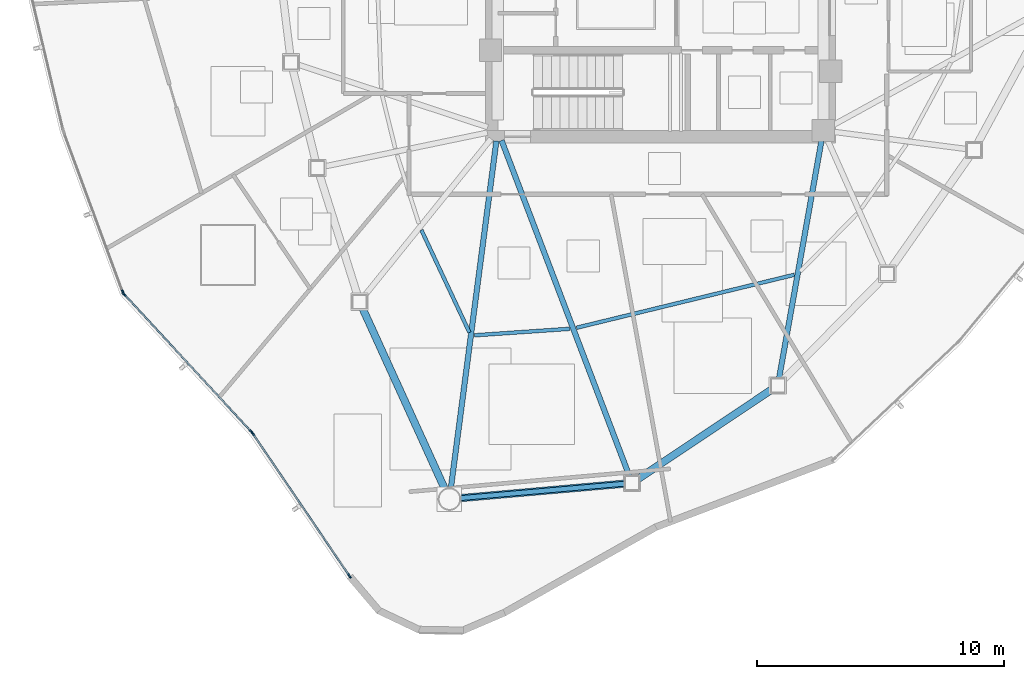
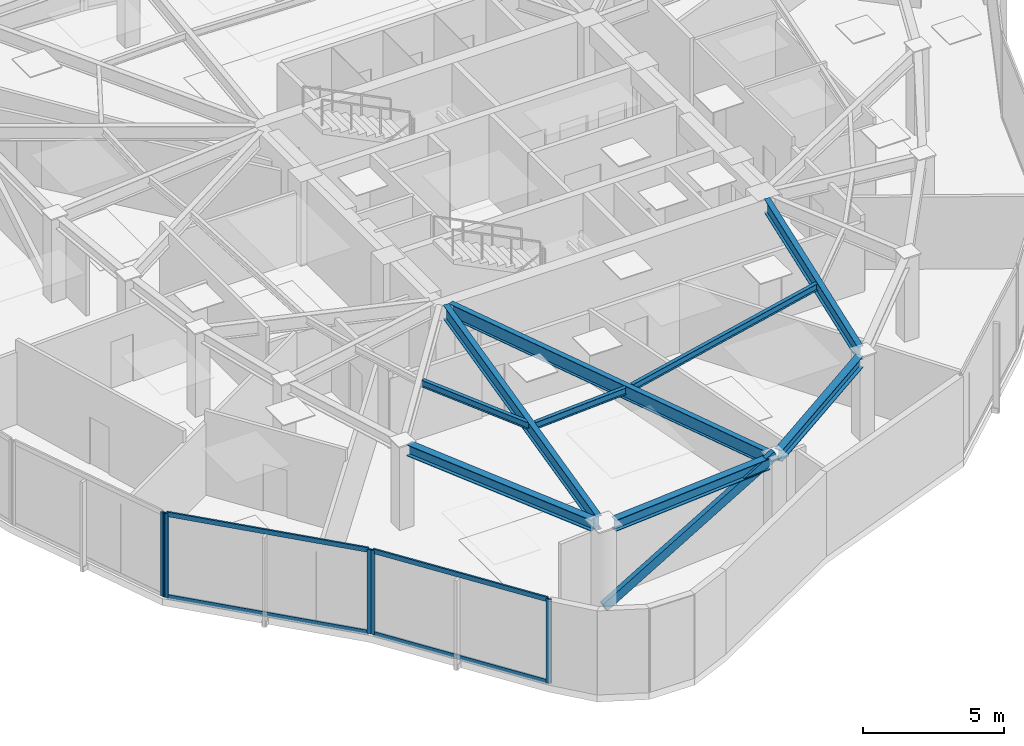
# One storey, part 2 of 13: 10 members, 9 beams, 3 elements without a shape of their own.
"""IFC4 building model written with IfcOpenShell, lengths in metres."""

from ifc_helpers import new_model, si_unit, direction, frame, origin, origin_2d, place, context, subcontext, project, spatial, hollow_rectangle, i_section, extrude, source, transform, mapped, material, layer, layer_set, material_profile, profile_set, type_object, type_shapes, element, aggregate, save


model = new_model("IFC4")

# Units and contexts
model_context = context("Model", 3, precision=1e-05, world=origin(), true_north=direction((0.0, 1.0)))
body_context = subcontext(model_context, "Body", "Model", "MODEL_VIEW")
ifc_project = project(units=[si_unit("LENGTHUNIT", "METRE"), si_unit("AREAUNIT", "SQUARE_METRE"), si_unit("VOLUMEUNIT", "CUBIC_METRE"), si_unit("PLANEANGLEUNIT", "RADIAN"), si_unit("MASSUNIT", "GRAM", prefix="KILO")], contexts=[model_context])

# Site, building, storey
site_placement = place(None, origin())
site = spatial("IfcSite", under=ifc_project, at=site_placement, CompositionType="ELEMENT")
building_placement = place(site_placement, origin())
building = spatial("IfcBuilding", under=site, at=building_placement, Name="Tavelor Broadcast Tower", CompositionType="ELEMENT")
storey_placement = place(building_placement, frame((0.0, 0.0, 237.949951171875)))
storey = spatial("IfcBuildingStorey", under=building, at=storey_placement, Name="L56", CompositionType="ELEMENT", Elevation=237.949951171875)

# Beams
ifc_material_1 = material(Name="Steel S355", Category="steel")
ifc_material_profile_1 = material_profile(ifc_material_1, i_section(OverallWidth=0.14990234375, OverallDepth=0.300048828125, WebThickness=0.007080078125, FlangeThickness=0.0107421875, at=origin_2d()), Name="IPE 300")
ifc_profile_set_1 = profile_set([ifc_material_profile_1], Name="Steel S355")
beam_type_1 = type_object("IfcBeamType", Name="Composite Floor Joist T5 IPE 300", PredefinedType="JOIST", material=ifc_profile_set_1)
beam_1_placement = place(storey_placement, frame((40.303466796875, 34.76123046875, 3.5), z_axis=(0.424747696097, -0.905311766553, 0.0), x_axis=(0.905311766553, 0.424747696097, 0.0)))
element("IfcBeam", 1, at=beam_1_placement, inside=storey, type_object=beam_type_1, Name="L56 Secondary Composite Floor Joist 06", PredefinedType="JOIST", context=body_context, shape_type="SweptSolid", body=[
    extrude(i_section(OverallWidth=0.14990234375, OverallDepth=0.300048828125, WebThickness=0.007080078125, FlangeThickness=0.0107421875, at=origin_2d()), origin(), (0.0, 0.0, 1.0), 4.583984375),
])
beam_2_placement = place(storey_placement, frame((42.44873046875, 30.49462890625, 3.5), z_axis=(0.997688348821, 0.067955563618, 0.0), x_axis=(-0.067955563618, 0.997688348821, 0.0)))
element("IfcBeam", 2, at=beam_2_placement, inside=storey, type_object=beam_type_1, Name="L56 Secondary Composite Floor Joist 07", PredefinedType="JOIST", context=body_context, shape_type="SweptSolid", body=[
    extrude(i_section(OverallWidth=0.14990234375, OverallDepth=0.300048828125, WebThickness=0.007080078125, FlangeThickness=0.0107421875, at=origin_2d()), origin(), (0.0, 0.0, 1.0), 3.880126953125),
])
beam_3_placement = place(storey_placement, frame((46.59423828125, 30.80078125, 3.5), z_axis=(0.971661934331, 0.236374883124, 0.0), x_axis=(-0.236374883124, 0.971661934331, 0.0)))
element("IfcBeam", 3, at=beam_3_placement, inside=storey, type_object=beam_type_1, Name="L56 Secondary Composite Floor Joist 08", PredefinedType="JOIST", context=body_context, shape_type="SweptSolid", body=[
    extrude(i_section(OverallWidth=0.14990234375, OverallDepth=0.300048828125, WebThickness=0.007080078125, FlangeThickness=0.0107421875, at=origin_2d()), origin(), (0.0, 0.0, 1.0), 9.089111328125),
])
ifc_material_profile_2 = material_profile(ifc_material_1, i_section(OverallWidth=0.300048828125, OverallDepth=0.489990234375, WebThickness=0.011962890625, FlangeThickness=0.02294921875, at=origin_2d()), Name="HEA 500")
ifc_profile_set_2 = profile_set([ifc_material_profile_2], Name="Steel S355")
beam_type_2 = type_object("IfcBeamType", Name="Perimeter Spandrel Beam T5 HEA 500", PredefinedType="SPANDREL", material=ifc_profile_set_2)
beam_4_placement = place(storey_placement, frame((37.91650390625, 31.59130859375, 3.405029296875), z_axis=(0.414437010202, -0.910077999171, 0.0), x_axis=(0.910077999171, 0.414437010202, 0.0)))
element("IfcBeam", 4, at=beam_4_placement, inside=storey, type_object=beam_type_2, Name="L56 Framed-Tube Ring Spandrel 06", PredefinedType="SPANDREL", context=body_context, shape_type="SweptSolid", body=[
    extrude(i_section(OverallWidth=0.300048828125, OverallDepth=0.489990234375, WebThickness=0.011962890625, FlangeThickness=0.02294921875, at=origin_2d()), origin(), (0.0, 0.0, 1.0), 8.0634765625),
])
beam_5_placement = place(storey_placement, frame((41.877197265625, 23.89208984375, 3.405029296875), z_axis=(0.996152506101, 0.087636662361, 0.0), x_axis=(-0.087636662361, 0.996152506101, 0.0)))
element("IfcBeam", 5, at=beam_5_placement, inside=storey, type_object=beam_type_2, Name="L56 Framed-Tube Ring Spandrel 07", PredefinedType="SPANDREL", context=body_context, shape_type="SweptSolid", body=[
    extrude(i_section(OverallWidth=0.300048828125, OverallDepth=0.489990234375, WebThickness=0.011962890625, FlangeThickness=0.02294921875, at=origin_2d()), origin(), (0.0, 0.0, 1.0), 6.70556640625),
])
beam_6_placement = place(storey_placement, frame((49.083251953125, 24.665283203125, 3.405029296875), z_axis=(0.830979943124, 0.556302376523, 0.0), x_axis=(-0.556302376523, 0.830979943124, 0.0)))
element("IfcBeam", 6, at=beam_6_placement, inside=storey, type_object=beam_type_2, Name="L56 Framed-Tube Ring Spandrel 08", PredefinedType="SPANDREL", context=body_context, shape_type="SweptSolid", body=[
    extrude(i_section(OverallWidth=0.300048828125, OverallDepth=0.489990234375, WebThickness=0.011962890625, FlangeThickness=0.02294921875, at=origin_2d()), origin(), (0.0, 0.0, 1.0), 6.536376953125),
])

# Member
ifc_material_profile_3 = material_profile(ifc_material_1, hollow_rectangle(XDim=0.199951171875, YDim=0.39990234375, WallThickness=0.01611328125, at=origin_2d()), Name="RHS 400x200x16")
ifc_profile_set_3 = profile_set([ifc_material_profile_3], Name="Steel S355")
member_type_1 = type_object("IfcMemberType", Name="Perimeter Tube Brace T5 RHS 400x200x16", PredefinedType="BRACE", material=ifc_profile_set_3)
member_1_placement = place(storey_placement, frame((41.440185546875, 23.853759765625, 0.0), z_axis=(0.894143836839, 0.078634887979, 0.440821226162), x_axis=(-0.087606208465, 0.996155184817, 0.0)))
element("IfcMember", 7, at=member_1_placement, inside=storey, type_object=member_type_1, Name="L56 Corner Tube Diagonal Brace 2", PredefinedType="BRACE", context=body_context, shape_type="SweptSolid", body=[
    extrude(hollow_rectangle(XDim=0.199951171875, YDim=0.39990234375, WallThickness=0.01611328125, at=origin_2d()), origin(), (0.0, 0.0, 1.0), 8.2802734375),
])

# Beams
ifc_material_profile_4 = material_profile(ifc_material_1, i_section(OverallWidth=0.219970703125, OverallDepth=0.60009765625, WebThickness=0.011962890625, FlangeThickness=0.01904296875, at=origin_2d()), Name="IPE 600")
ifc_profile_set_4 = profile_set([ifc_material_profile_4], Name="Steel S355")
beam_type_3 = type_object("IfcBeamType", Name="Radial Floor Girder T5 IPE 600", PredefinedType="BEAM", material=ifc_profile_set_4)
beam_7_placement = place(storey_placement, frame((43.34375, 38.37158203125, 3.35009765625), z_axis=(-0.130000517012, -0.991513926063, 0.0), x_axis=(0.991513926063, -0.130000517012, 0.0)))
element("IfcBeam", 8, at=beam_7_placement, inside=storey, type_object=beam_type_3, Name="L56 Radial Primary Floor Girder 07", PredefinedType="BEAM", context=body_context, shape_type="SweptSolid", body=[
    extrude(i_section(OverallWidth=0.219970703125, OverallDepth=0.60009765625, WebThickness=0.011962890625, FlangeThickness=0.01904296875, at=origin_2d()), origin(), (0.0, 0.0, 1.0), 14.203369140625),
])
beam_8_placement = place(storey_placement, frame((43.5537109375, 38.396240234375, 3.35009765625), z_axis=(0.355898513414, -0.934524610778, 0.0), x_axis=(0.934524610778, 0.355898513414, 0.0)))
element("IfcBeam", 9, at=beam_8_placement, inside=storey, type_object=beam_type_3, Name="L56 Radial Primary Floor Girder 08", PredefinedType="BEAM", context=body_context, shape_type="SweptSolid", body=[
    extrude(i_section(OverallWidth=0.219970703125, OverallDepth=0.60009765625, WebThickness=0.011962890625, FlangeThickness=0.01904296875, at=origin_2d()), origin(), (0.0, 0.0, 1.0), 14.576416015625),
])
beam_9_placement = place(storey_placement, frame((56.524169921875, 38.374755859375, 3.35009765625), z_axis=(-0.175781136437, -0.984429272255, 0.0), x_axis=(0.984429272255, -0.175781136437, 0.0)))
element("IfcBeam", 10, at=beam_9_placement, inside=storey, type_object=beam_type_3, Name="L56 Radial Primary Floor Girder 09", PredefinedType="BEAM", context=body_context, shape_type="SweptSolid", body=[
    extrude(i_section(OverallWidth=0.219970703125, OverallDepth=0.60009765625, WebThickness=0.011962890625, FlangeThickness=0.01904296875, at=origin_2d()), origin(), (0.0, 0.0, 1.0), 9.781982421875),
])

# Curtain wall, member
ifc_material_2 = material(Name="Architectural Anodized Aluminium", Category="aluminium")
ifc_layer = layer(ifc_material_2, 0.199951171875)
ifc_layer_set = layer_set([ifc_layer], Name="Architectural Anodized Aluminium")
curtain_wall_type = type_object("IfcCurtainWallType", Name="Tower High-Zone Triple-Glazed Curtain Wall CW04", PredefinedType="NOTDEFINED", material=ifc_layer_set)
curtain_wall_1_placement = place(storey_placement, origin())
curtain_wall_1 = element("IfcCurtainWall", 11, at=curtain_wall_1_placement, inside=storey, type_object=curtain_wall_type, Name="L56 Curtain Wall CW04 Run 602", PredefinedType="NOTDEFINED")
ifc_material_profile_5 = material_profile(ifc_material_2, hollow_rectangle(XDim=0.070068359375, YDim=0.199951171875, WallThickness=0.02197265625, at=origin_2d()), Name="RHS 70x200x22")
ifc_profile_set_5 = profile_set([ifc_material_profile_5], Name="Architectural Anodized Aluminium")
member_type_2 = type_object("IfcMemberType", Name="CW04 Extruded Aluminium Mullion 70x200", PredefinedType="MULLION", material=ifc_profile_set_5)
shared_shape_1 = source(origin(), body_context, "Body", "SweptSolid", [
    extrude(hollow_rectangle(XDim=0.070068359375, YDim=0.199951171875, WallThickness=0.02197265625, at=origin_2d()), origin(), (0.0, 0.0, 1.0), 3.650146484375),
])
type_shapes(member_type_2, [shared_shape_1])
member_2_placement = place(storey_placement, frame((28.199462890625, 32.242919921875, 0.0), z_axis=(0.0, 0.0, 1.0), x_axis=(0.938040637835, 0.346525268588, 0.0)))
member_2 = element("IfcMember", 12, at=member_2_placement, type_object=member_type_2, Name="CW04 mullion 2", PredefinedType="MULLION", context=body_context, shape_type="MappedRepresentation", body=[
    mapped(shared_shape_1, transform((0.0, 0.0, 0.0), scale=1.0)),
])
aggregate(curtain_wall_1, [member_2])

# Curtain wall, members
curtain_wall_2_placement = place(storey_placement, origin())
curtain_wall_2 = element("IfcCurtainWall", 13, at=curtain_wall_2_placement, inside=storey, type_object=curtain_wall_type, Name="L56 Curtain Wall CW04 Run 603", PredefinedType="NOTDEFINED")
member_3_placement = place(storey_placement, frame((28.250732421875, 32.159423828125, 0.0), z_axis=(0.0, 0.0, 1.0), x_axis=(0.734228510724, 0.678902418643, 0.0)))
member_3 = element("IfcMember", 14, at=member_3_placement, type_object=member_type_2, Name="CW04 mullion 1", PredefinedType="MULLION", context=body_context, shape_type="MappedRepresentation", body=[
    mapped(shared_shape_1, transform((0.0, 0.0, 0.0), scale=1.0)),
])
member_4_placement = place(storey_placement, frame((33.4072265625, 26.58251953125, 0.0), z_axis=(0.0, 0.0, 1.0), x_axis=(0.734228510724, 0.678902418643, 0.0)))
member_4 = element("IfcMember", 15, at=member_4_placement, type_object=member_type_2, Name="CW04 mullion 2", PredefinedType="MULLION", context=body_context, shape_type="MappedRepresentation", body=[
    mapped(shared_shape_1, transform((0.0, 0.0, 0.0), scale=1.0)),
])

curtain_wall_3_placement = place(storey_placement, origin())
curtain_wall_3 = element("IfcCurtainWall", 16, at=curtain_wall_3_placement, inside=storey, type_object=curtain_wall_type, Name="L56 Curtain Wall CW04 Run 604", PredefinedType="NOTDEFINED")
member_5_placement = place(storey_placement, frame((33.469482421875, 26.504638671875, 0.0), z_axis=(0.0, 0.0, 1.0), x_axis=(0.827308127139, 0.561748398102, 0.0)))
member_5 = element("IfcMember", 17, at=member_5_placement, type_object=member_type_2, Name="CW04 mullion 1", PredefinedType="MULLION", context=body_context, shape_type="MappedRepresentation", body=[
    mapped(shared_shape_1, transform((0.0, 0.0, 0.0), scale=1.0)),
])
member_6_placement = place(storey_placement, frame((37.38427734375, 20.739013671875, 0.0), z_axis=(0.0, 0.0, 1.0), x_axis=(0.827308127139, 0.561748398102, 0.0)))
member_6 = element("IfcMember", 18, at=member_6_placement, type_object=member_type_2, Name="CW04 mullion 2", PredefinedType="MULLION", context=body_context, shape_type="MappedRepresentation", body=[
    mapped(shared_shape_1, transform((0.0, 0.0, 0.0), scale=1.0)),
])

# Member
ifc_material_profile_6 = material_profile(ifc_material_2, hollow_rectangle(XDim=0.070068359375, YDim=0.199951171875, WallThickness=0.02197265625, at=origin_2d()), Name="RHS 70x200x22")
ifc_profile_set_6 = profile_set([ifc_material_profile_6], Name="Architectural Anodized Aluminium")
member_type_3 = type_object("IfcMemberType", Name="CW04 Extruded Aluminium Transom 70x200", PredefinedType="USERDEFINED", material=ifc_profile_set_6)
shared_shape_2 = source(origin(), body_context, "Body", "SweptSolid", [
    extrude(hollow_rectangle(XDim=0.070068359375, YDim=0.199951171875, WallThickness=0.02197265625, at=origin_2d()), origin(), (0.0, 0.0, 1.0), 7.525390625),
])
member_7_placement = place(storey_placement, frame((28.2744140625, 32.1337890625, 0.03515625), z_axis=(0.678909100159, -0.734222332623, 0.0), x_axis=(0.734222332623, 0.678909100159, 0.0)))
member_7 = element("IfcMember", 19, at=member_7_placement, type_object=member_type_3, Name="CW04 transom 1.1", ObjectType="TRANSOM", PredefinedType="USERDEFINED", context=body_context, shape_type="MappedRepresentation", body=[
    mapped(shared_shape_2, transform((0.0, 0.0, 0.0), scale=1.0)),
])

member_8_placement = place(storey_placement, frame((28.2744140625, 32.1337890625, 3.614990234375), z_axis=(0.678909100159, -0.734222332623, 0.0), x_axis=(0.734222332623, 0.678909100159, 0.0)))
member_8 = element("IfcMember", 20, at=member_8_placement, type_object=member_type_3, Name="CW04 transom 1.2", ObjectType="TRANSOM", PredefinedType="USERDEFINED", context=body_context, shape_type="MappedRepresentation", body=[
    mapped(shared_shape_2, transform((0.0, 0.0, 0.0), scale=1.0)),
])

aggregate(curtain_wall_2, [member_3, member_4, member_7, member_8])

shared_shape_3 = source(origin(), body_context, "Body", "SweptSolid", [
    extrude(hollow_rectangle(XDim=0.070068359375, YDim=0.199951171875, WallThickness=0.02197265625, at=origin_2d()), origin(), (0.0, 0.0, 1.0), 6.899169921875),
])
type_shapes(member_type_3, [shared_shape_2, shared_shape_3])
member_9_placement = place(storey_placement, frame((33.489013671875, 26.4755859375, 0.03515625), z_axis=(0.561735909178, -0.827316607073, 0.0), x_axis=(0.827316607073, 0.561735909178, 0.0)))
member_9 = element("IfcMember", 21, at=member_9_placement, type_object=member_type_3, Name="CW04 transom 1.1", ObjectType="TRANSOM", PredefinedType="USERDEFINED", context=body_context, shape_type="MappedRepresentation", body=[
    mapped(shared_shape_3, transform((0.0, 0.0, 0.0), scale=1.0)),
])

member_10_placement = place(storey_placement, frame((33.489013671875, 26.4755859375, 3.614990234375), z_axis=(0.561735909178, -0.827316607073, 0.0), x_axis=(0.827316607073, 0.561735909178, 0.0)))
member_10 = element("IfcMember", 22, at=member_10_placement, type_object=member_type_3, Name="CW04 transom 1.2", ObjectType="TRANSOM", PredefinedType="USERDEFINED", context=body_context, shape_type="MappedRepresentation", body=[
    mapped(shared_shape_3, transform((0.0, 0.0, 0.0), scale=1.0)),
])

aggregate(curtain_wall_3, [member_5, member_6, member_9, member_10])

save(model, "model.ifc")
